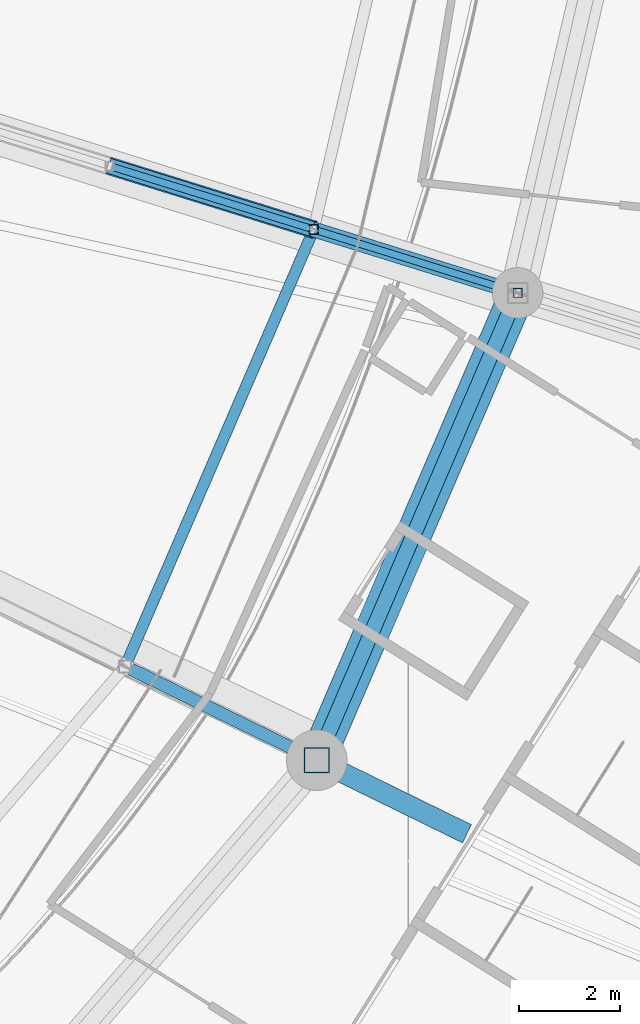
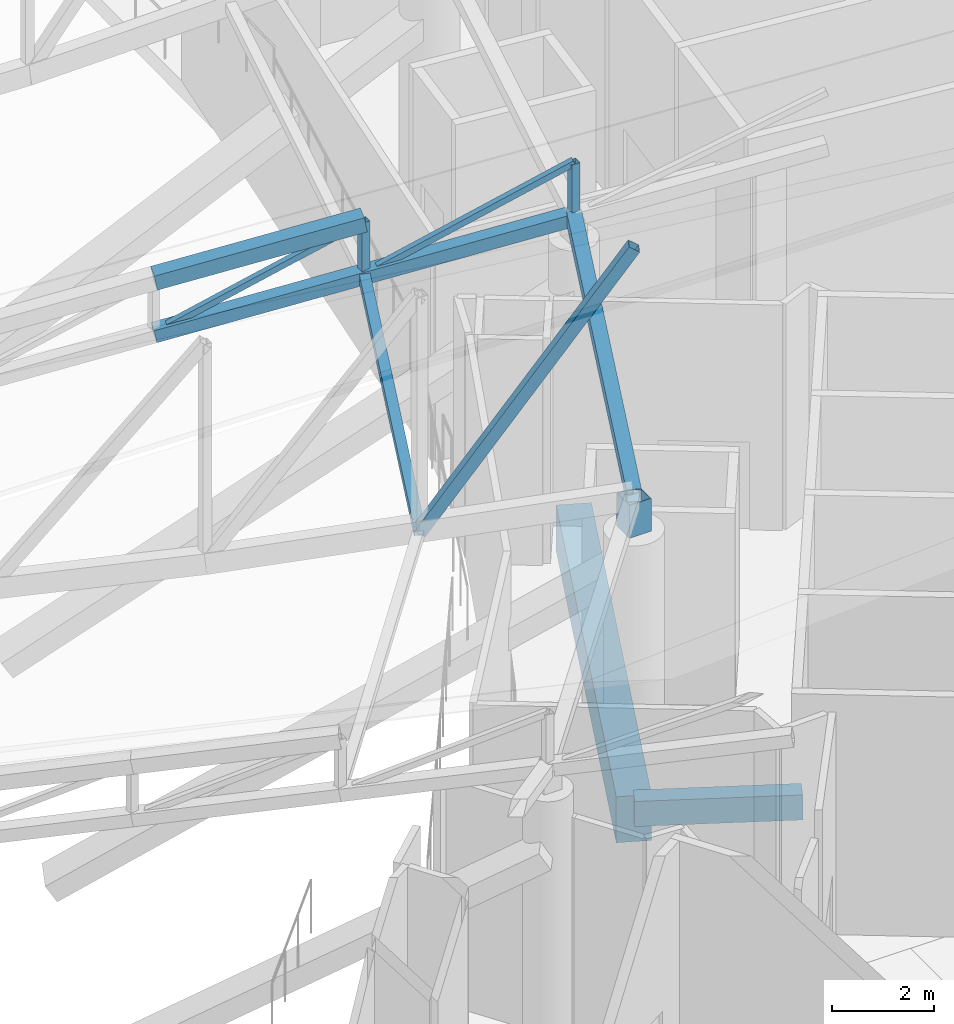
# One storey, part 89 of 344: 11 members, 2 beams.
"""IFC4 building model written with IfcOpenShell, lengths in metres."""

from ifc_helpers import new_model, si_unit, direction, frame, origin, origin_2d, place, context, subcontext, project, spatial, rectangle, hollow_rectangle, extrude, material, material_profile, profile_set, type_object, element, save


model = new_model("IFC4")

# Units and contexts
model_context = context("Model", 3, precision=1e-05, world=origin(), true_north=direction((0.0, 1.0)))
body_context = subcontext(model_context, "Body", "Model", "MODEL_VIEW")
ifc_project = project(units=[si_unit("LENGTHUNIT", "METRE"), si_unit("AREAUNIT", "SQUARE_METRE"), si_unit("VOLUMEUNIT", "CUBIC_METRE"), si_unit("PLANEANGLEUNIT", "RADIAN"), si_unit("MASSUNIT", "GRAM", prefix="KILO")], contexts=[model_context])

# Site, building, storey
site_placement = place(None, origin())
site = spatial("IfcSite", under=ifc_project, at=site_placement, CompositionType="ELEMENT")
building_placement = place(site_placement, origin())
building = spatial("IfcBuilding", under=site, at=building_placement, Name="Meseta Stadium", CompositionType="ELEMENT")
storey_placement = place(building_placement, frame((0.0, 0.0, 24.0)))
storey = spatial("IfcBuildingStorey", under=building, at=storey_placement, Name="L04", CompositionType="ELEMENT", Elevation=24.0)

# Beams
ifc_material_1 = material(Name="Concrete C40/50", Category="concrete")
ifc_material_profile_1 = material_profile(ifc_material_1, rectangle(XDim=0.39990234375, YDim=0.60009765625, at=origin_2d()), Name="RC 400x600")
ifc_profile_set_1 = profile_set([ifc_material_profile_1], Name="Concrete C40/50")
beam_type_1 = type_object("IfcBeamType", Name="RC beam 400x600", PredefinedType="BEAM", material=ifc_profile_set_1)
beam_1_placement = place(storey_placement, frame((78.197998046875, -72.27197265625, -0.699951171875), z_axis=(0.898132346212, -0.439725242267, 0.0), x_axis=(0.439725242267, 0.898132346212, 0.0)))
element("IfcBeam", 1, at=beam_1_placement, inside=storey, type_object=beam_type_1, Name="L04 radial beam frame 54 line P to R", PredefinedType="BEAM", context=body_context, shape_type="SweptSolid", body=[
    extrude(rectangle(XDim=0.39990234375, YDim=0.60009765625, at=origin_2d()), origin(), (0.0, 0.0, 1.0), 3.306396484375),
])
ifc_material_2 = material(Name="Concrete C40/50", Category="concrete")
ifc_material_profile_2 = material_profile(ifc_material_2, rectangle(XDim=0.699951171875, YDim=1.10009765625, at=origin_2d()), Name="RC 700x1100")
ifc_profile_set_2 = profile_set([ifc_material_profile_2], Name="Concrete C40/50")
beam_type_2 = type_object("IfcBeamType", Name="RC beam 700x1100", PredefinedType="BEAM", material=ifc_profile_set_2)
beam_2_placement = place(storey_placement, frame((78.197998046875, -72.27197265625, -0.949951171875), z_axis=(0.394921198525, 0.918714997676, 0.0), x_axis=(-0.918714997676, 0.394921198525, 0.0)))
element("IfcBeam", 2, at=beam_2_placement, inside=storey, type_object=beam_type_2, Name="L04 ring beam frame 54 line P", PredefinedType="BEAM", context=body_context, shape_type="SweptSolid", body=[
    extrude(rectangle(XDim=0.699951171875, YDim=1.10009765625, at=origin_2d()), origin(), (0.0, 0.0, 1.0), 10.0556640625),
])

# Members
ifc_material_3 = material(Name="Steel S355", Category="steel")
ifc_material_profile_3 = material_profile(ifc_material_3, hollow_rectangle(XDim=0.139892578125, YDim=0.139892578125, WallThickness=0.0048828125, at=origin_2d()), Name="SHS 140x140x5")
ifc_profile_set_3 = profile_set([ifc_material_profile_3], Name="Steel S355")
member_type_1 = type_object("IfcMemberType", Name="SHS 140x140x5 diagonal", PredefinedType="BRACE", material=ifc_profile_set_3)
for number, where, z_axis, x_axis, name in (
    (3, (74.105712890625, -60.526123046875, 5.0029296875), (0.859278691546, -0.267243269939, 0.436143514142), (0.296977513201, 0.954884472935, 0.0), "ROOF TRUSS RT-55 diagonal"),
    (4, (78.137451171875, -61.780029296875, 5.749267578125), (0.859290639384, -0.267194951752, 0.436149578498), (0.296924788831, 0.954900869084, 0.0), "ROOF TRUSS RT-55 diagonal"),
):
    element("IfcMember", number, at=place(storey_placement, frame(where, z_axis=z_axis, x_axis=x_axis)), inside=storey, type_object=member_type_1, Name=name, PredefinedType="BRACE", context=body_context, shape_type="SweptSolid", body=[
        extrude(hollow_rectangle(XDim=0.139892578125, YDim=0.139892578125, WallThickness=0.0048828125, at=origin_2d()), origin(), (0.0, 0.0, 1.0), 4.69189453125),
    ])
ifc_material_4 = material(Name="Steel S355", Category="steel")
ifc_material_profile_4 = material_profile(ifc_material_4, hollow_rectangle(XDim=0.179931640625, YDim=0.179931640625, WallThickness=0.00634765625, at=origin_2d()), Name="SHS 180x180x6.3")
ifc_profile_set_4 = profile_set([ifc_material_profile_4], Name="Steel S355")
member_type_2 = type_object("IfcMemberType", Name="SHS 180x180x6.3 post", PredefinedType="POST", material=ifc_profile_set_4)
member_1_placement = place(storey_placement, frame((78.137451171875, -61.780029296875, 5.749267578125), z_axis=(0.0, 0.0, 1.0), x_axis=(1.0, 0.0, 0.0)))
element("IfcMember", 5, at=member_1_placement, inside=storey, type_object=member_type_2, Name="ROOF TRUSS RT-55 post", PredefinedType="POST", context=body_context, shape_type="SweptSolid", body=[
    extrude(hollow_rectangle(XDim=0.179931640625, YDim=0.179931640625, WallThickness=0.00634765625, at=origin_2d()), origin(), (0.0, 0.0, 1.0), 1.300048828125),
])
member_2_placement = place(storey_placement, frame((82.169189453125, -63.03369140625, 6.495849609375), z_axis=(0.0, 0.0, 1.0), x_axis=(1.0, 0.0, 0.0)))
element("IfcMember", 6, at=member_2_placement, inside=storey, type_object=member_type_2, Name="ROOF TRUSS RT-55 post", PredefinedType="POST", context=body_context, shape_type="SweptSolid", body=[
    extrude(hollow_rectangle(XDim=0.179931640625, YDim=0.179931640625, WallThickness=0.00634765625, at=origin_2d()), origin(), (0.0, 0.0, 1.0), 1.2998046875),
])
ifc_material_5 = material(Name="Steel S355", Category="steel")
ifc_material_profile_5 = material_profile(ifc_material_5, hollow_rectangle(XDim=0.219970703125, YDim=0.219970703125, WallThickness=0.008056640625, at=origin_2d()), Name="SHS 220x220x8")
ifc_profile_set_5 = profile_set([ifc_material_profile_5], Name="Steel S355")
member_type_3 = type_object("IfcMemberType", Name="SHS 220x220x8 strut", PredefinedType="STRUT", material=ifc_profile_set_5)
member_3_placement = place(storey_placement, frame((74.41015625, -70.41748046875, 6.148681640625), z_axis=(0.395854174476, 0.917333126271, -0.042419429452), x_axis=(-0.918159570052, 0.396210807428, 0.0)))
element("IfcMember", 7, at=member_3_placement, inside=storey, type_object=member_type_3, Name="ROOF TRUSS STRUT RT-54/55", PredefinedType="STRUT", context=body_context, shape_type="SweptSolid", body=[
    extrude(hollow_rectangle(XDim=0.219970703125, YDim=0.219970703125, WallThickness=0.008056640625, at=origin_2d()), origin(), (0.0, 0.0, 1.0), 9.415771484375),
])
ifc_material_6 = material(Name="Steel S355", Category="steel")
ifc_material_profile_6 = material_profile(ifc_material_6, hollow_rectangle(XDim=0.25, YDim=0.25, WallThickness=0.010009765625, at=origin_2d()), Name="SHS 250x250x10")
ifc_profile_set_6 = profile_set([ifc_material_profile_6], Name="Steel S355")
member_type_4 = type_object("IfcMemberType", Name="SHS 250x250x10 diagonal", PredefinedType="BRACE", material=ifc_profile_set_6)
member_4_placement = place(storey_placement, frame((74.41015625, -70.41748046875, 6.148681640625), z_axis=(0.482679399338, -0.236315354004, 0.84331230924), x_axis=(0.439718804076, 0.89813549832, 0.0)))
element("IfcMember", 8, at=member_4_placement, inside=storey, type_object=member_type_4, Name="ROOF TRUSS RT-54 diagonal", PredefinedType="BRACE", context=body_context, shape_type="SweptSolid", body=[
    extrude(hollow_rectangle(XDim=0.25, YDim=0.25, WallThickness=0.010009765625, at=origin_2d()), origin(), (0.0, 0.0, 1.0), 7.847412109375),
])
ifc_material_7 = material(Name="Steel S355", Category="steel")
ifc_material_profile_7 = material_profile(ifc_material_7, hollow_rectangle(XDim=0.300048828125, YDim=0.300048828125, WallThickness=0.010009765625, at=origin_2d()), Name="SHS 300x300x10")
ifc_profile_set_7 = profile_set([ifc_material_profile_7], Name="Steel S355")
member_type_5 = type_object("IfcMemberType", Name="SHS 300x300x10 bottom chord", PredefinedType="CHORD", material=ifc_profile_set_7)
for number, where, z_axis, x_axis, name in (
    (9, (74.105712890625, -60.526123046875, 5.0029296875), (0.940307263038, -0.292443872046, 0.174065599074), (0.296977513201, 0.954884472935, 0.0), "ROOF TRUSS RT-55 bottom chord"),
    (10, (78.137451171875, -61.780029296875, 5.749267578125), (0.940313598156, -0.292388901934, 0.174123712193), (0.296924788831, 0.954900869084, 0.0), "ROOF TRUSS RT-55 bottom chord"),
):
    element("IfcMember", number, at=place(storey_placement, frame(where, z_axis=z_axis, x_axis=x_axis)), inside=storey, type_object=member_type_5, Name=name, PredefinedType="CHORD", context=body_context, shape_type="SweptSolid", body=[
        extrude(hollow_rectangle(XDim=0.300048828125, YDim=0.300048828125, WallThickness=0.010009765625, at=origin_2d()), origin(), (0.0, 0.0, 1.0), 4.28759765625),
    ])
ifc_material_8 = material(Name="Steel S355", Category="steel")
ifc_material_profile_8 = material_profile(ifc_material_8, hollow_rectangle(XDim=0.300048828125, YDim=0.300048828125, WallThickness=0.010009765625, at=origin_2d()), Name="SHS 300x300x10")
ifc_profile_set_8 = profile_set([ifc_material_profile_8], Name="Steel S355")
member_type_6 = type_object("IfcMemberType", Name="SHS 300x300x10 pivot strut", PredefinedType="STRUT", material=ifc_profile_set_8)
member_5_placement = place(storey_placement, frame((78.197998046875, -72.27197265625, 6.785400390625), z_axis=(0.394757577459, 0.918334361923, -0.028782889885), x_axis=(-0.918714997676, 0.394921198525, 0.0)))
element("IfcMember", 11, at=member_5_placement, inside=storey, type_object=member_type_6, Name="ROOF PIVOT STRUT RT-54/55", PredefinedType="STRUT", context=body_context, shape_type="SweptSolid", body=[
    extrude(hollow_rectangle(XDim=0.300048828125, YDim=0.300048828125, WallThickness=0.010009765625, at=origin_2d()), origin(), (0.0, 0.0, 1.0), 10.059814453125),
])
ifc_material_9 = material(Name="Steel S355", Category="steel")
ifc_material_profile_9 = material_profile(ifc_material_9, hollow_rectangle(XDim=0.35009765625, YDim=0.35009765625, WallThickness=0.010009765625, at=origin_2d()), Name="SHS 350x350x10")
ifc_profile_set_9 = profile_set([ifc_material_profile_9], Name="Steel S355")
member_type_7 = type_object("IfcMemberType", Name="SHS 350x350x10 top chord", PredefinedType="CHORD", material=ifc_profile_set_9)
member_6_placement = place(storey_placement, frame((74.105712890625, -60.526123046875, 6.302978515625), z_axis=(0.940307263038, -0.292443872046, 0.174065599074), x_axis=(0.296977513201, 0.954884472935, 0.0)))
element("IfcMember", 12, at=member_6_placement, inside=storey, type_object=member_type_7, Name="ROOF TRUSS RT-55 top chord", PredefinedType="CHORD", context=body_context, shape_type="SweptSolid", body=[
    extrude(hollow_rectangle(XDim=0.35009765625, YDim=0.35009765625, WallThickness=0.010009765625, at=origin_2d()), origin(), (0.0, 0.0, 1.0), 4.28759765625),
])
ifc_material_10 = material(Name="Steel S355", Category="steel")
ifc_material_profile_10 = material_profile(ifc_material_10, hollow_rectangle(XDim=0.5, YDim=0.5, WallThickness=0.01611328125, at=origin_2d()), Name="SHS 500x500x16")
ifc_profile_set_10 = profile_set([ifc_material_profile_10], Name="Steel S355")
member_type_8 = type_object("IfcMemberType", Name="SHS 500x500x16 pedestal", PredefinedType="POST", material=ifc_profile_set_10)
member_7_placement = place(storey_placement, frame((78.197998046875, -72.27197265625, 6.0), z_axis=(0.0, 0.0, 1.0), x_axis=(1.0, 0.0, 0.0)))
element("IfcMember", 13, at=member_7_placement, inside=storey, type_object=member_type_8, Name="ROOF TRUSS RT-54 pedestal", PredefinedType="POST", context=body_context, shape_type="SweptSolid", body=[
    extrude(hollow_rectangle(XDim=0.5, YDim=0.5, WallThickness=0.01611328125, at=origin_2d()), origin(), (0.0, 0.0, 1.0), 0.785400390625),
])

save(model, "model.ifc")
